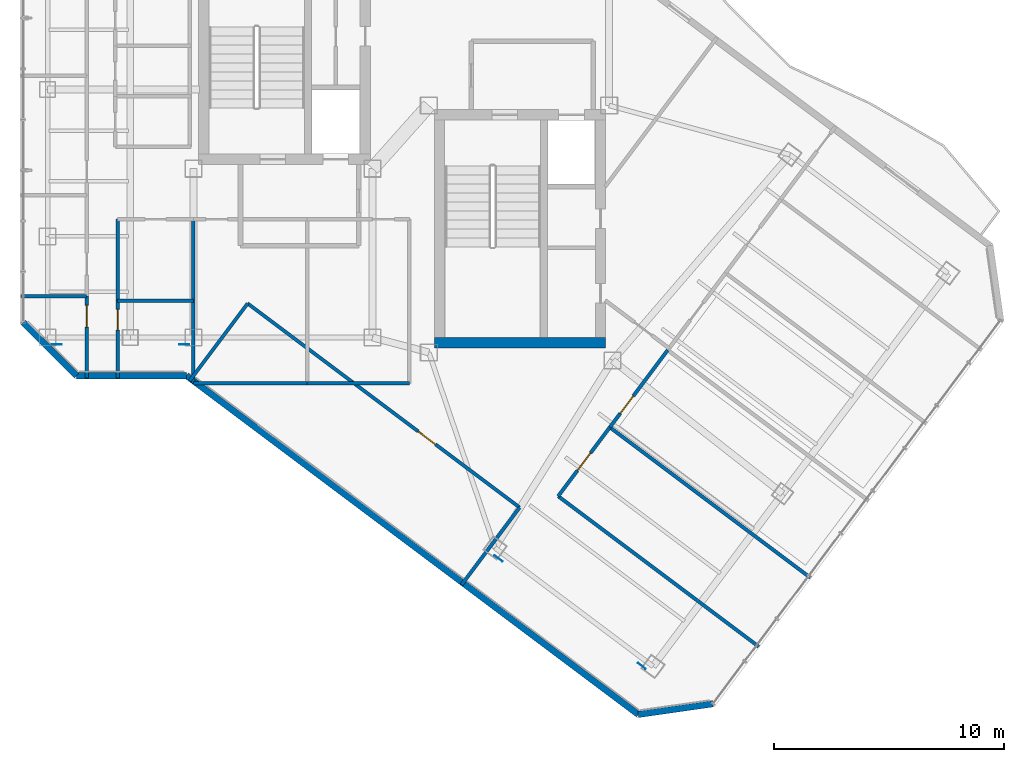
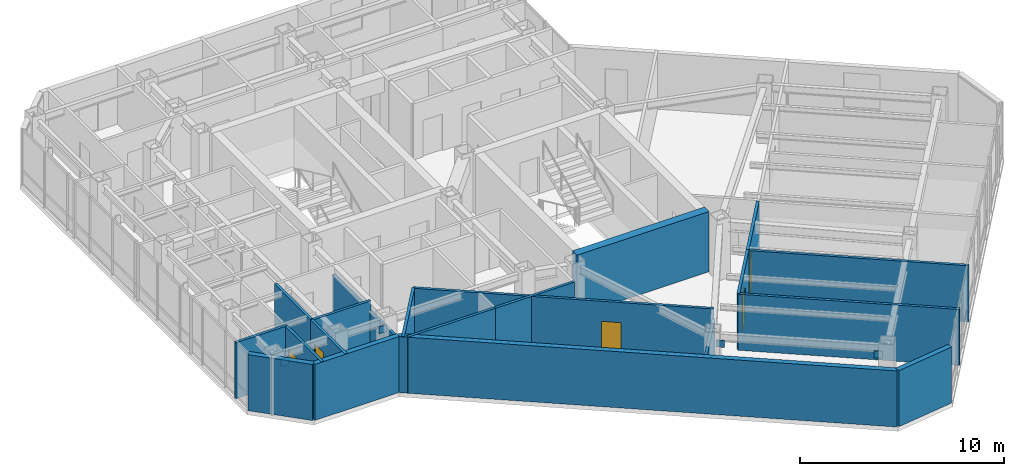
# One storey, part 19 of 26: 20 walls, 5 doors, 4 plates, 5 openings.
"""IFC4 building model written with IfcOpenShell, lengths in metres."""

from ifc_helpers import new_model, si_unit, direction, frame, frame_2d, origin, origin_2d, place, context, subcontext, project, spatial, rectangle, extrude, material, layer, layer_set, type_object, element, fill, save


model = new_model("IFC4")

# Units and contexts
model_context = context("Model", 3, precision=1e-05, world=origin(), true_north=direction((0.0, 1.0)))
body_context = subcontext(model_context, "Body", "Model", "MODEL_VIEW")
ifc_project = project(units=[si_unit("LENGTHUNIT", "METRE"), si_unit("AREAUNIT", "SQUARE_METRE"), si_unit("VOLUMEUNIT", "CUBIC_METRE"), si_unit("PLANEANGLEUNIT", "RADIAN"), si_unit("MASSUNIT", "GRAM", prefix="KILO")], contexts=[model_context])

# Site, building, storey
site_placement = place(None, origin())
site = spatial("IfcSite", under=ifc_project, at=site_placement, CompositionType="ELEMENT")
building_placement = place(site_placement, origin())
building = spatial("IfcBuilding", under=site, at=building_placement, Name="Hatsunagi Terrace Concourse", CompositionType="ELEMENT")
storey_placement = place(building_placement, frame((0.0, 0.0, 209.550048828125)))
storey = spatial("IfcBuildingStorey", under=building, at=storey_placement, Name="L55", CompositionType="ELEMENT", Elevation=209.550048828125)

# Plates
ifc_material_1 = material(Name="Steel SN490C", Category="steel")
ifc_layer_1 = layer(ifc_material_1, 0.031982421875)
ifc_layer_set_1 = layer_set([ifc_layer_1], Name="XBraceNodeCapPlate_32")
plate_type = type_object("IfcPlateType", Name="XBraceNodeCapPlate_32", PredefinedType="USERDEFINED", material=ifc_layer_set_1)
for number, where, z_axis, x_axis, name in (
    (1, (19.60009765625, 24.89990234375, 2.699951171875), (0.0, 0.0, 1.0), (1.0, 0.0, 0.0), "Cast-In Core and Node Embed Plate GP-02 EP-XB-L53-W1-AT"),
    (2, (25.14990234375, 24.89990234375, 2.699951171875), (0.0, 0.0, 1.0), (1.0, 0.0, 0.0), "Cast-In Core and Node Embed Plate GP-02 EP-XB-L53-W1-BT"),
    (3, (38.83203125, 15.575927734375, 2.699951171875), (0.0, 0.0, 1.0), (0.799999996291, -0.600000004945, 0.0), "Cast-In Core and Node Embed Plate GP-02 EP-XB-L53-SE-AT"),
    (4, (45.072021484375, 10.89599609375, 2.699951171875), (0.0, 0.0, 1.0), (0.799999996291, -0.600000004945, 0.0), "Cast-In Core and Node Embed Plate GP-02 EP-XB-L53-SE-BT"),
):
    element("IfcPlate", number, at=place(storey_placement, frame(where, z_axis=z_axis, x_axis=x_axis)), inside=storey, type_object=plate_type, Name=name, ObjectType="GUSSET_PLATE", PredefinedType="USERDEFINED", context=body_context, shape_type="SweptSolid", body=[
        extrude(rectangle(XDim=0.419921875, YDim=0.031982421875, at=origin_2d()), origin(), (0.0, 0.0, 1.0), 0.419921875),
    ])

# Walls
ifc_material_2 = material(Name="Concrete Fc42", Category="concrete")
ifc_layer_2 = layer(ifc_material_2, 0.449951171875)
ifc_layer_set_2 = layer_set([ifc_layer_2], Name="CoreShearWall_Fc42_450")
wall_type_1 = type_object("IfcWallType", Name="CoreShearWall_Fc42_450", PredefinedType="SHEAR", material=ifc_layer_set_2)
wall_1_placement = place(storey_placement, frame((36.0400390625, 24.965087890625, 0.0), z_axis=(0.0, 0.0, 1.0), x_axis=(1.0, 0.0, 0.0)))
element("IfcWall", 5, at=wall_1_placement, inside=storey, type_object=wall_type_1, Name="Core B Shear Wall S L55", PredefinedType="SHEAR", context=body_context, shape_type="SweptSolid", body=[
    extrude(rectangle(XDim=7.4599609375, YDim=0.449951171875, at=frame_2d((3.72998046875, 0.0))), origin(), (0.0, 0.0, 1.0), 3.599853515625),
])
ifc_material_3 = material(Name="Acoustic mineral board", Category="gypsum")
ifc_layer_3 = layer(ifc_material_3, 0.14990234375)
ifc_layer_set_3 = layer_set([ifc_layer_3], Name="PartitionWall_EI60_150")
wall_type_2 = type_object("IfcWallType", Name="PartitionWall_EI60_150", PredefinedType="PARTITIONING", material=ifc_layer_set_3)
wall_2_placement = place(storey_placement, frame((25.550048828125, 23.199951171875, 0.0), z_axis=(0.0, 0.0, 1.0), x_axis=(1.0, 0.0, 0.0)))
element("IfcWall", 6, at=wall_2_placement, inside=storey, type_object=wall_type_2, Name="Interior Partition IW-L55-026", PredefinedType="PARTITIONING", context=body_context, shape_type="SweptSolid", body=[
    extrude(rectangle(XDim=4.949951171875, YDim=0.14990234375, at=frame_2d((2.47509765625, 0.0))), origin(), (0.0, 0.0, 1.0), 3.349853515625),
])
wall_3_placement = place(storey_placement, frame((25.550048828125, 23.199951171875, 0.0), z_axis=(0.0, 0.0, 1.0), x_axis=(0.0, 1.0, 0.0)))
element("IfcWall", 7, at=wall_3_placement, inside=storey, type_object=wall_type_2, Name="Interior Partition IW-L55-028", PredefinedType="PARTITIONING", context=body_context, shape_type="SweptSolid", body=[
    extrude(rectangle(XDim=7.150146484375, YDim=0.14990234375, at=frame_2d((3.5751953125, 0.0))), origin(), (0.0, 0.0, 1.0), 2.7568359375),
])
wall_4_placement = place(storey_placement, frame((30.5, 23.199951171875, 0.0), z_axis=(0.0, 0.0, 1.0), x_axis=(1.0, 0.0, 0.0)))
element("IfcWall", 8, at=wall_4_placement, inside=storey, type_object=wall_type_2, Name="Interior Partition IW-L55-030", PredefinedType="PARTITIONING", context=body_context, shape_type="SweptSolid", body=[
    extrude(rectangle(XDim=4.449951171875, YDim=0.14990234375, at=frame_2d((2.22509765625, 0.0))), origin(), (0.0, 0.0, 1.0), 3.349853515625),
])
wall_5_placement = place(storey_placement, frame((18.0400390625, 27.0, 0.0), z_axis=(0.0, 0.0, 1.0), x_axis=(1.0, 0.0, 0.0)))
element("IfcWall", 9, at=wall_5_placement, inside=storey, type_object=wall_type_2, Name="Interior Partition IW-L55-033", PredefinedType="PARTITIONING", context=body_context, shape_type="SweptSolid", body=[
    extrude(rectangle(XDim=2.85986328125, YDim=0.14990234375, at=frame_2d((1.429931640625, 0.0))), origin(), (0.0, 0.0, 1.0), 3.349853515625),
])

# Wall, opening, door
wall_6_placement = place(storey_placement, frame((20.89990234375, 23.43994140625, 0.0), z_axis=(0.0, 0.0, 1.0), x_axis=(0.0, 1.0, 0.0)))
wall_6 = element("IfcWall", 10, at=wall_6_placement, inside=storey, type_object=wall_type_2, Name="Interior Partition IW-L55-034", PredefinedType="PARTITIONING", context=body_context, shape_type="SweptSolid", body=[
    extrude(rectangle(XDim=3.56005859375, YDim=0.14990234375, at=frame_2d((1.780029296875, 0.0))), origin(), (0.0, 0.0, 1.0), 3.349853515625),
])
opening_1_placement = place(wall_6_placement, frame((2.2109375, 0.0, 0.0)))
opening_1 = element("IfcOpeningElement", 11, at=opening_1_placement, cuts=wall_6, Name="Opening DR-095", PredefinedType="OPENING", context=body_context, shape_type="SweptSolid", body=[
    extrude(rectangle(XDim=0.949951171875, YDim=2.14990234375, at=frame_2d((0.47509765625, 1.074951171875))), frame((0.0, 0.0849609375, 0.0), z_axis=(0.0, -1.0, 0.0), x_axis=(1.0, 0.0, 0.0)), (0.0, 0.0, 1.0), 0.169921875),
])
ifc_material_4 = material(Name="Hardwood timber", Category="wood")
door_type_1 = type_object("IfcDoorType", Name="InteriorSuiteDoor_EI30_950", OperationType="NOTDEFINED", PredefinedType="DOOR", material=ifc_material_4)
door_1_placement = place(opening_1_placement, origin())
door_1 = element("IfcDoor", 12, at=door_1_placement, inside=storey, type_object=door_type_1, Name="Focus Room L55-OW1 Door", OperationType="SINGLE_SWING_RIGHT", OverallHeight=2.14990234375, OverallWidth=0.949951171875, PredefinedType="DOOR", context=body_context, shape_type="SweptSolid", body=[
    extrude(rectangle(XDim=0.949951171875, YDim=2.14990234375, at=frame_2d((0.47509765625, 1.074951171875))), frame((0.0, 0.02490234375, 0.0), z_axis=(0.0, -1.0, 0.0), x_axis=(1.0, 0.0, 0.0)), (0.0, 0.0, 1.0), 0.050048828125),
])
fill(opening_1, door_1)

# Walls
for number, where, z_axis, x_axis, name in (
    (13, (41.429931640625, 18.2900390625, 0.0), (0.0, 0.0, 1.0), (0.799994629375, -0.600007160767, 0.0), "Interior Partition IW-L55-051"),
    (14, (43.679931640625, 21.2900390625, 0.0), (0.0, 0.0, 1.0), (0.799994629375, -0.600007160767, 0.0), "Interior Partition IW-L55-052"),
):
    element("IfcWall", number, at=place(storey_placement, frame(where, z_axis=z_axis, x_axis=x_axis)), inside=storey, type_object=wall_type_2, Name=name, PredefinedType="PARTITIONING", context=body_context, shape_type="SweptSolid", body=[
        extrude(rectangle(XDim=10.91015625, YDim=0.14990234375, at=frame_2d((5.455078125, 0.0))), origin(), (0.0, 0.0, 1.0), 3.349853515625),
    ])

# Wall, opening, door
wall_7_placement = place(storey_placement, frame((41.429931640625, 18.2900390625, 0.0), z_axis=(0.0, 0.0, 1.0), x_axis=(0.6, 0.8, 0.0)))
wall_7 = element("IfcWall", 15, at=wall_7_placement, inside=storey, type_object=wall_type_2, Name="Interior Partition IW-L55-053", PredefinedType="PARTITIONING", context=body_context, shape_type="SweptSolid", body=[
    extrude(rectangle(XDim=3.75, YDim=0.14990234375, at=frame_2d((1.875, 0.0))), origin(), (0.0, 0.0, 1.0), 3.349853515625),
])
opening_2_placement = place(wall_7_placement, frame((1.39990234375, 0.0, 0.0)))
opening_2 = element("IfcOpeningElement", 16, at=opening_2_placement, cuts=wall_7, Name="Opening DR-095", PredefinedType="OPENING", context=body_context, shape_type="SweptSolid", body=[
    extrude(rectangle(XDim=0.949951171875, YDim=2.14990234375, at=frame_2d((0.47509765625, 1.074951171875))), frame((0.0, 0.0849609375, 0.0), z_axis=(0.0, -1.0, 0.0), x_axis=(1.0, 0.0, 0.0)), (0.0, 0.0, 1.0), 0.169921875),
])
door_2_placement = place(opening_2_placement, origin())
door_2 = element("IfcDoor", 17, at=door_2_placement, inside=storey, type_object=door_type_1, Name="Focus Room L55-OSE1 Door", OperationType="SINGLE_SWING_RIGHT", OverallHeight=2.14990234375, OverallWidth=0.949951171875, PredefinedType="DOOR", context=body_context, shape_type="SweptSolid", body=[
    extrude(rectangle(XDim=0.949951171875, YDim=2.14990234375, at=frame_2d((0.47509765625, 1.074951171875))), frame((0.0, 0.02490234375, 0.0), z_axis=(0.0, -1.0, 0.0), x_axis=(1.0, 0.0, 0.0)), (0.0, 0.0, 1.0), 0.050048828125),
])
fill(opening_2, door_2)

wall_8_placement = place(storey_placement, frame((43.679931640625, 21.2900390625, 0.0), z_axis=(0.0, 0.0, 1.0), x_axis=(0.600018601461, 0.799986048566, 0.0)))
wall_8 = element("IfcWall", 18, at=wall_8_placement, inside=storey, type_object=wall_type_2, Name="Interior Partition IW-L55-055", PredefinedType="PARTITIONING", context=body_context, shape_type="SweptSolid", body=[
    extrude(rectangle(XDim=4.199951171875, YDim=0.14990234375, at=frame_2d((2.10009765625, 0.0))), origin(), (0.0, 0.0, 1.0), 3.349853515625),
])
opening_3_placement = place(wall_8_placement, frame((0.75390625, 0.0, 0.0)))
opening_3 = element("IfcOpeningElement", 19, at=opening_3_placement, cuts=wall_8, Name="Opening DR-095", PredefinedType="OPENING", context=body_context, shape_type="SweptSolid", body=[
    extrude(rectangle(XDim=0.949951171875, YDim=2.14990234375, at=frame_2d((0.47509765625, 1.074951171875))), frame((0.0, 0.0849609375, 0.0), z_axis=(0.0, -1.0, 0.0), x_axis=(1.0, 0.0, 0.0)), (0.0, 0.0, 1.0), 0.169921875),
])
door_3_placement = place(opening_3_placement, origin())
door_3 = element("IfcDoor", 20, at=door_3_placement, inside=storey, type_object=door_type_1, Name="Executive Office L55-OSE2 Door", OperationType="SINGLE_SWING_RIGHT", OverallHeight=2.14990234375, OverallWidth=0.949951171875, PredefinedType="DOOR", context=body_context, shape_type="SweptSolid", body=[
    extrude(rectangle(XDim=0.949951171875, YDim=2.14990234375, at=frame_2d((0.47509765625, 1.074951171875))), frame((0.0, 0.02490234375, 0.0), z_axis=(0.0, -1.0, 0.0), x_axis=(1.0, 0.0, 0.0)), (0.0, 0.0, 1.0), 0.050048828125),
])
fill(opening_3, door_3)

# Wall
wall_9_placement = place(storey_placement, frame((22.25, 26.800048828125, 0.0), z_axis=(0.0, 0.0, 1.0), x_axis=(1.0, 0.0, 0.0)))
element("IfcWall", 21, at=wall_9_placement, inside=storey, type_object=wall_type_2, Name="Interior Partition IW-L55-063", PredefinedType="PARTITIONING", context=body_context, shape_type="SweptSolid", body=[
    extrude(rectangle(XDim=3.300048828125, YDim=0.14990234375, at=frame_2d((1.64990234375, 0.0))), origin(), (0.0, 0.0, 1.0), 3.349853515625),
])

# Wall, opening, door
wall_10_placement = place(storey_placement, frame((22.25, 23.43994140625, 0.0), z_axis=(0.0, 0.0, 1.0), x_axis=(0.0, 1.0, 0.0)))
wall_10 = element("IfcWall", 22, at=wall_10_placement, inside=storey, type_object=wall_type_2, Name="Interior Partition IW-L55-064", PredefinedType="PARTITIONING", context=body_context, shape_type="SweptSolid", body=[
    extrude(rectangle(XDim=3.360107421875, YDim=0.14990234375, at=frame_2d((1.68017578125, 0.0))), origin(), (0.0, 0.0, 1.0), 3.349853515625),
])
opening_4_placement = place(wall_10_placement, frame((2.080078125, 0.0, 0.0)))
opening_4 = element("IfcOpeningElement", 23, at=opening_4_placement, cuts=wall_10, Name="Opening DR-090", PredefinedType="OPENING", context=body_context, shape_type="SweptSolid", body=[
    extrude(rectangle(XDim=0.89990234375, YDim=2.14990234375, at=frame_2d((0.449951171875, 1.074951171875))), frame((0.0, 0.0849609375, 0.0), z_axis=(0.0, -1.0, 0.0), x_axis=(1.0, 0.0, 0.0)), (0.0, 0.0, 1.0), 0.169921875),
])
ifc_material_5 = material(Name="Hardwood timber", Category="wood")
door_type_2 = type_object("IfcDoorType", Name="CrownPavilionDoor_EI30_900", OperationType="NOTDEFINED", PredefinedType="DOOR", material=ifc_material_5)
door_4_placement = place(opening_4_placement, origin())
door_4 = element("IfcDoor", 24, at=door_4_placement, inside=storey, type_object=door_type_2, Name="Private Salon L55-OCSWA Door", OperationType="SINGLE_SWING_LEFT", OverallHeight=2.14990234375, OverallWidth=0.89990234375, PredefinedType="DOOR", context=body_context, shape_type="SweptSolid", body=[
    extrude(rectangle(XDim=0.89990234375, YDim=2.14990234375, at=frame_2d((0.449951171875, 1.074951171875))), frame((0.0, 0.02490234375, 0.0), z_axis=(0.0, -1.0, 0.0), x_axis=(1.0, 0.0, 0.0)), (0.0, 0.0, 1.0), 0.050048828125),
])
fill(opening_4, door_4)

# Wall
wall_11_placement = place(storey_placement, frame((22.25, 26.800048828125, 0.0), z_axis=(0.0, 0.0, 1.0), x_axis=(0.0, 1.0, 0.0)))
element("IfcWall", 25, at=wall_11_placement, inside=storey, type_object=wall_type_2, Name="Interior Partition IW-L55-066", PredefinedType="PARTITIONING", context=body_context, shape_type="SweptSolid", body=[
    extrude(rectangle(XDim=3.550048828125, YDim=0.14990234375, at=frame_2d((1.77490234375, 0.0))), origin(), (0.0, 0.0, 1.0), 3.349853515625),
])

# Wall, opening, door
wall_12_placement = place(storey_placement, frame((27.909912109375, 26.679931640625, 0.0), z_axis=(0.0, 0.0, 1.0), x_axis=(0.800005938517, -0.599992081896, 0.0)))
wall_12 = element("IfcWall", 26, at=wall_12_placement, inside=storey, type_object=wall_type_2, Name="Interior Partition IW-L55-068", PredefinedType="PARTITIONING", context=body_context, shape_type="SweptSolid", body=[
    extrude(rectangle(XDim=14.800048828125, YDim=0.14990234375, at=frame_2d((7.39990234375, 0.0))), origin(), (0.0, 0.0, 1.0), 3.349853515625),
])
opening_5_placement = place(wall_12_placement, frame((9.281005859375, 0.0, 0.0)))
opening_5 = element("IfcOpeningElement", 27, at=opening_5_placement, cuts=wall_12, Name="Opening DR-095", PredefinedType="OPENING", context=body_context, shape_type="SweptSolid", body=[
    extrude(rectangle(XDim=0.949951171875, YDim=2.14990234375, at=frame_2d((0.47509765625, 1.074951171875))), frame((0.0, 0.0849609375, 0.0), z_axis=(0.0, -1.0, 0.0), x_axis=(1.0, 0.0, 0.0)), (0.0, 0.0, 1.0), 0.169921875),
])
door_5_placement = place(opening_5_placement, origin())
door_5 = element("IfcDoor", 28, at=door_5_placement, inside=storey, type_object=door_type_1, Name="Research Focus Suite L55-OSWS Door", OperationType="SINGLE_SWING_RIGHT", OverallHeight=2.14990234375, OverallWidth=0.949951171875, PredefinedType="DOOR", context=body_context, shape_type="SweptSolid", body=[
    extrude(rectangle(XDim=0.949951171875, YDim=2.14990234375, at=frame_2d((0.47509765625, 1.074951171875))), frame((0.0, 0.02490234375, 0.0), z_axis=(0.0, -1.0, 0.0), x_axis=(1.0, 0.0, 0.0)), (0.0, 0.0, 1.0), 0.050048828125),
])
fill(opening_5, door_5)

# Walls
wall_13_placement = place(storey_placement, frame((25.384033203125, 23.31201171875, 0.0), z_axis=(0.0, 0.0, 1.0), x_axis=(0.599990721155, 0.80000695905, 0.0)))
element("IfcWall", 29, at=wall_13_placement, inside=storey, type_object=wall_type_2, Name="Interior Partition IW-L55-069", PredefinedType="PARTITIONING", context=body_context, shape_type="SweptSolid", body=[
    extrude(rectangle(XDim=4.2099609375, YDim=0.14990234375, at=frame_2d((2.10498046875, 0.0))), origin(), (0.0, 0.0, 1.0), 3.349853515625),
])
wall_14_placement = place(storey_placement, frame((37.22412109375, 14.431884765625, 0.0), z_axis=(0.0, 0.0, 1.0), x_axis=(0.599962885857, 0.800027834262, 0.0)))
element("IfcWall", 30, at=wall_14_placement, inside=storey, type_object=wall_type_2, Name="Interior Partition IW-L55-070", PredefinedType="PARTITIONING", context=body_context, shape_type="SweptSolid", body=[
    extrude(rectangle(XDim=4.2099609375, YDim=0.14990234375, at=frame_2d((2.10498046875, 0.0))), origin(), (0.0, 0.0, 1.0), 2.7568359375),
])
ifc_material_6 = material(Name="Autoclaved Lightweight Concrete and Terracotta Cladding", Category="masonry")
ifc_layer_4 = layer(ifc_material_6, 0.280029296875)
ifc_layer_set_4 = layer_set([ifc_layer_4], Name="TerracottaSpandrelWall_280")
wall_type_3 = type_object("IfcWallType", Name="TerracottaSpandrelWall_280", PredefinedType="STANDARD", material=ifc_layer_set_4)
wall_15_placement = place(storey_placement, frame((48.1630859375, 9.25, 0.0), z_axis=(0.0, 0.0, 1.0), x_axis=(-0.989979263428, -0.141212810973, 0.0)))
element("IfcWall", 31, at=wall_15_placement, inside=storey, type_object=wall_type_3, Name="Exterior Spandrel Wall EW-L55-04", PredefinedType="STANDARD", context=body_context, shape_type="SweptSolid", body=[
    extrude(rectangle(XDim=3.278076171875, YDim=0.280029296875, at=frame_2d((1.63916015625, 0.0))), origin(), (0.0, 0.0, 1.0), 3.349853515625),
])
wall_16_placement = place(storey_placement, frame((44.91796875, 8.787109375, 0.0), z_axis=(0.0, 0.0, 1.0), x_axis=(-0.800004765927, 0.599993645378, 0.0)))
element("IfcWall", 32, at=wall_16_placement, inside=storey, type_object=wall_type_3, Name="Exterior Spandrel Wall EW-L55-05", PredefinedType="STANDARD", context=body_context, shape_type="SweptSolid", body=[
    extrude(rectangle(XDim=24.58837890625, YDim=0.280029296875, at=frame_2d((12.294189453125, 0.0))), origin(), (0.0, 0.0, 1.0), 3.349853515625),
])
wall_17_placement = place(storey_placement, frame((25.2470703125, 23.5400390625, 0.0), z_axis=(0.0, 0.0, 1.0), x_axis=(-1.0, 0.0, 0.0)))
element("IfcWall", 33, at=wall_17_placement, inside=storey, type_object=wall_type_3, Name="Exterior Spandrel Wall EW-L55-06", PredefinedType="STANDARD", context=body_context, shape_type="SweptSolid", body=[
    extrude(rectangle(XDim=4.7890625, YDim=0.280029296875, at=frame_2d((2.39453125, 0.0))), origin(), (0.0, 0.0, 1.0), 3.349853515625),
])
wall_18_placement = place(storey_placement, frame((20.4580078125, 23.5400390625, 0.0), z_axis=(0.0, 0.0, 1.0), x_axis=(-0.707144017911, 0.707069542501, 0.0)))
element("IfcWall", 34, at=wall_18_placement, inside=storey, type_object=wall_type_3, Name="Exterior Spandrel Wall EW-L55-07", PredefinedType="STANDARD", context=body_context, shape_type="SweptSolid", body=[
    extrude(rectangle(XDim=3.278076171875, YDim=0.280029296875, at=frame_2d((1.63916015625, 0.0))), origin(), (0.0, 0.0, 1.0), 3.349853515625),
])

save(model, "model.ifc")
